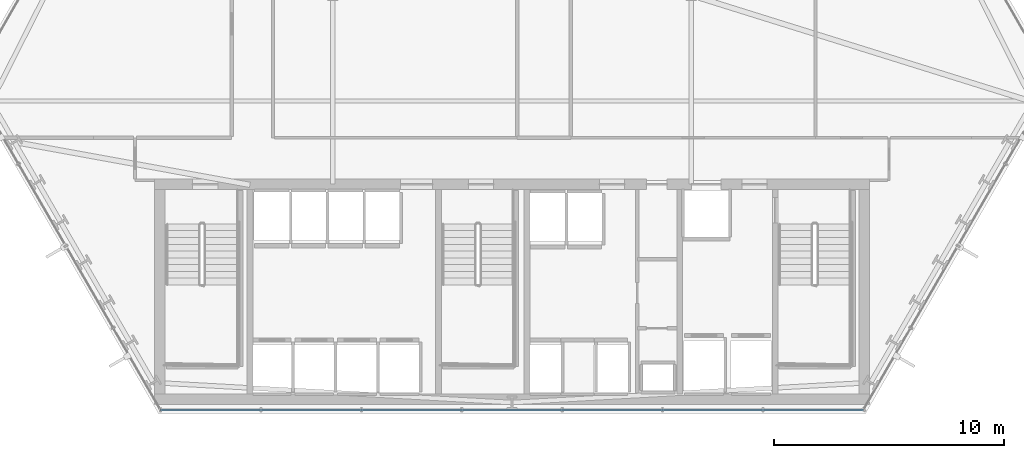
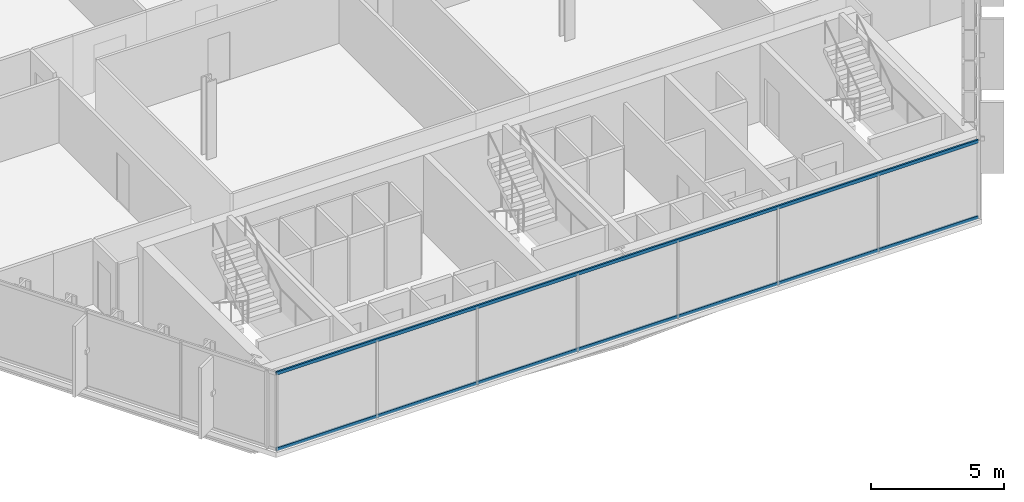
# One storey, part 7 of 33: 2 members, 1 element without a shape of its own.
"""IFC4 building model written with IfcOpenShell, lengths in metres."""

from ifc_helpers import new_model, si_unit, direction, frame, origin, origin_2d, place, context, subcontext, project, spatial, hollow_rectangle, extrude, material, layer, layer_set, material_profile, profile_set, type_object, element, aggregate, save


model = new_model("IFC4")

# Units and contexts
model_context = context("Model", 3, precision=1e-05, world=origin(), true_north=direction((0.0, 1.0)))
body_context = subcontext(model_context, "Body", "Model", "MODEL_VIEW")
ifc_project = project(units=[si_unit("LENGTHUNIT", "METRE"), si_unit("AREAUNIT", "SQUARE_METRE"), si_unit("VOLUMEUNIT", "CUBIC_METRE"), si_unit("PLANEANGLEUNIT", "RADIAN"), si_unit("MASSUNIT", "GRAM", prefix="KILO")], contexts=[model_context])

# Site, building, storey
site_placement = place(None, origin())
site = spatial("IfcSite", under=ifc_project, at=site_placement, CompositionType="ELEMENT")
building_placement = place(site_placement, origin())
building = spatial("IfcBuilding", under=site, at=building_placement, Name="Ndaravel Arena Tower", CompositionType="ELEMENT")
storey_placement = place(building_placement, frame((0.0, 0.0, 39.800048828125)))
storey = spatial("IfcBuildingStorey", under=building, at=storey_placement, Name="L07", CompositionType="ELEMENT", Elevation=39.800048828125)

# Curtain wall, members
ifc_material_1 = material(Name="Aluminium", Category="aluminium")
ifc_layer = layer(ifc_material_1, 0.179931640625)
ifc_layer_set = layer_set([ifc_layer], Name="Aluminium")
curtain_wall_type = type_object("IfcCurtainWallType", Name="CW-SYS-03", PredefinedType="NOTDEFINED", material=ifc_layer_set)
curtain_wall_placement = place(storey_placement, origin())
curtain_wall = element("IfcCurtainWall", 1, at=curtain_wall_placement, inside=storey, type_object=curtain_wall_type, Name="L07 Faceted Crystal Curtain Wall CW-L07-E01", PredefinedType="NOTDEFINED")
ifc_material_2 = material(Name="Aluminium", Category="aluminium")
ifc_material_profile = material_profile(ifc_material_2, hollow_rectangle(XDim=0.074951171875, YDim=0.14990234375, WallThickness=0.00390625, at=origin_2d()), Name="CW TRANSOM 75x150x4")
ifc_profile_set = profile_set([ifc_material_profile], Name="Aluminium")
member_type = type_object("IfcMemberType", Name="MEM-CW-TRN150", PredefinedType="USERDEFINED", material=ifc_profile_set)
member_1_placement = place(storey_placement, frame((26.7119140625, 5.159912109375, 0.0400390625), z_axis=(1.0, 0.0, 0.0), x_axis=(0.0, 1.0, 0.0)))
member_1 = element("IfcMember", 2, at=member_1_placement, type_object=member_type, Name="CW-L07-E01 Transom 01", ObjectType="TRANSOM", PredefinedType="USERDEFINED", context=body_context, shape_type="SweptSolid", body=[
    extrude(hollow_rectangle(XDim=0.074951171875, YDim=0.14990234375, WallThickness=0.00390625, at=origin_2d()), origin(), (0.0, 0.0, 1.0), 30.576171875),
])
member_2_placement = place(storey_placement, frame((26.7119140625, 5.159912109375, 3.5400390625), z_axis=(1.0, 0.0, 0.0), x_axis=(0.0, 1.0, 0.0)))
member_2 = element("IfcMember", 3, at=member_2_placement, type_object=member_type, Name="CW-L07-E01 Transom 02", ObjectType="TRANSOM", PredefinedType="USERDEFINED", context=body_context, shape_type="SweptSolid", body=[
    extrude(hollow_rectangle(XDim=0.074951171875, YDim=0.14990234375, WallThickness=0.00390625, at=origin_2d()), origin(), (0.0, 0.0, 1.0), 30.576171875),
])
aggregate(curtain_wall, [member_1, member_2])

save(model, "model.ifc")
